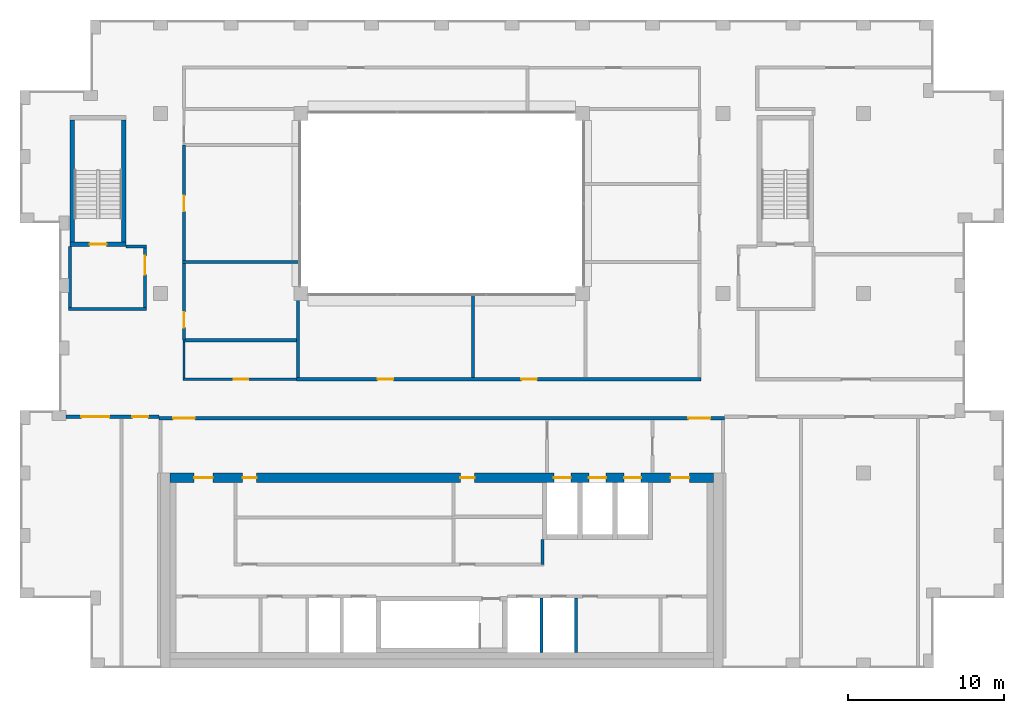
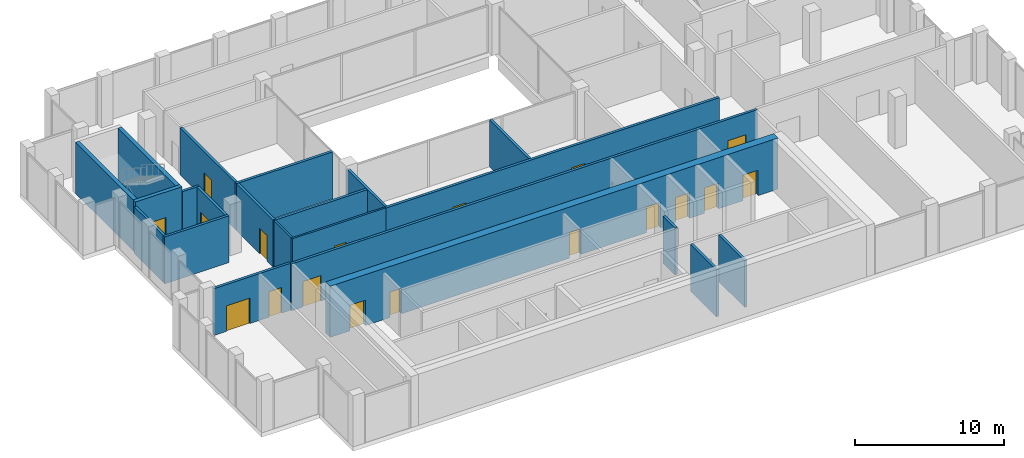
# One storey, part 11 of 15: 22 walls, 18 doors, 18 openings.
"""IFC4 building model written with IfcOpenShell, lengths in metres."""

from ifc_helpers import new_model, si_unit, direction, frame, frame_2d, origin, place, context, subcontext, project, spatial, rectangle, extrude, material, layer, layer_set, type_object, element, fill, save


model = new_model("IFC4")

# Units and contexts
model_context = context("Model", 3, precision=1e-05, world=origin(), true_north=direction((0.0, 1.0)))
body_context = subcontext(model_context, "Body", "Model", "MODEL_VIEW")
ifc_project = project(units=[si_unit("LENGTHUNIT", "METRE"), si_unit("AREAUNIT", "SQUARE_METRE"), si_unit("VOLUMEUNIT", "CUBIC_METRE"), si_unit("PLANEANGLEUNIT", "RADIAN"), si_unit("MASSUNIT", "GRAM", prefix="KILO")], contexts=[model_context])

# Site, building, storey
site_placement = place(None, origin())
site = spatial("IfcSite", under=ifc_project, at=site_placement, CompositionType="ELEMENT")
building_placement = place(site_placement, origin())
building = spatial("IfcBuilding", under=site, at=building_placement, Name="Brigalow Station Residences", CompositionType="ELEMENT")
storey_placement = place(building_placement, frame((0.0, 0.0, 240.0)))
storey = spatial("IfcBuildingStorey", under=building, at=storey_placement, Name="L69", CompositionType="ELEMENT", Elevation=240.0)

# Wall, opening, door
ifc_material_1 = material(Name="Concrete C50", Category="concrete")
ifc_layer_1 = layer(ifc_material_1, 0.300048828125)
ifc_layer_set_1 = layer_set([ifc_layer_1], Name="CORE SHEAR WALL 300 C50")
wall_type_1 = type_object("IfcWallType", Name="CORE SHEAR WALL 300 C50", PredefinedType="SHEAR", material=ifc_layer_set_1)
wall_1_placement = place(storey_placement, frame((12.199951171875, 27.14990234375, 0.0), z_axis=(0.0, 0.0, 1.0), x_axis=(1.0, 0.0, 0.0)))
wall_1 = element("IfcWall", 1, at=wall_1_placement, inside=storey, type_object=wall_type_1, Name="CORE WALL ST-S1-S L69", PredefinedType="SHEAR", context=body_context, shape_type="SweptSolid", body=[
    extrude(rectangle(XDim=3.60009765625, YDim=0.300048828125, at=frame_2d((1.800048828125, 0.0))), origin(), (0.0, 0.0, 1.0), 4.199951171875),
])
opening_1_placement = place(wall_1_placement, frame((1.25, 0.0, 0.0)))
opening_1 = element("IfcOpeningElement", 2, at=opening_1_placement, cuts=wall_1, Name="Opening D-5015", PredefinedType="OPENING", context=body_context, shape_type="SweptSolid", body=[
    extrude(rectangle(XDim=1.10009765625, YDim=2.10009765625, at=frame_2d((0.550048828125, 1.050048828125))), frame((0.0, 0.16015625, 0.0), z_axis=(0.0, -1.0, 0.0), x_axis=(1.0, 0.0, 0.0)), (0.0, 0.0, 1.0), 0.320068359375),
])
ifc_material_2 = material(Name="Steel fire door leaf in steel frame", Category="steel")
door_type_1 = type_object("IfcDoorType", Name="STAIR DOOR 1100 x 2100 FD60S", OperationType="SINGLE_SWING_LEFT", PredefinedType="DOOR", material=ifc_material_2)
door_1_placement = place(opening_1_placement, origin())
door_1 = element("IfcDoor", 3, at=door_1_placement, inside=storey, type_object=door_type_1, Name="D-5015", OperationType="SINGLE_SWING_LEFT", OverallHeight=2.10009765625, OverallWidth=1.10009765625, PredefinedType="DOOR", context=body_context, shape_type="SweptSolid", body=[
    extrude(rectangle(XDim=1.10009765625, YDim=2.10009765625, at=frame_2d((0.550048828125, 1.050048828125))), frame((0.0, 0.02490234375, 0.0), z_axis=(0.0, -1.0, 0.0), x_axis=(1.0, 0.0, 0.0)), (0.0, 0.0, 1.0), 0.050048828125),
])
fill(opening_1, door_1)

# Walls
for number, where, z_axis, x_axis, name in (
    (4, (12.35009765625, 27.300048828125, 0.0), (0.0, 0.0, 1.0), (0.0, 1.0, 0.0), "CORE WALL ST-S1-W L69"),
    (5, (15.64990234375, 27.300048828125, 0.0), (0.0, 0.0, 1.0), (0.0, 1.0, 0.0), "CORE WALL ST-S1-E L69"),
):
    element("IfcWall", number, at=place(storey_placement, frame(where, z_axis=z_axis, x_axis=x_axis)), inside=storey, type_object=wall_type_1, Name=name, PredefinedType="SHEAR", context=body_context, shape_type="SweptSolid", body=[
        extrude(rectangle(XDim=7.800048828125, YDim=0.300048828125, at=frame_2d((3.89990234375, 0.0))), origin(), (0.0, 0.0, 1.0), 4.199951171875),
    ])

# Wall, openings, doors
ifc_material_3 = material(Name="Concrete C50", Category="concrete")
ifc_layer_2 = layer(ifc_material_3, 0.60009765625)
ifc_layer_set_2 = layer_set([ifc_layer_2], Name="CORE SHEAR WALL 600 C50")
wall_type_2 = type_object("IfcWallType", Name="CORE SHEAR WALL 600 C50", PredefinedType="SHEAR", material=ifc_layer_set_2)
wall_2_placement = place(storey_placement, frame((18.60009765625, 12.199951171875, 0.0), z_axis=(0.0, 0.0, 1.0), x_axis=(1.0, 0.0, 0.0)))
wall_2 = element("IfcWall", 6, at=wall_2_placement, inside=storey, type_object=wall_type_2, Name="CORE WALL OUT-N L69", PredefinedType="SHEAR", context=body_context, shape_type="SweptSolid", body=[
    extrude(rectangle(XDim=34.7998046875, YDim=0.60009765625, at=frame_2d((17.39990234375, 0.0))), origin(), (0.0, 0.0, 1.0), 4.199951171875),
])
opening_2_placement = place(wall_2_placement, frame((24.574951171875, 0.0, 0.0)))
opening_2 = element("IfcOpeningElement", 7, at=opening_2_placement, cuts=wall_2, Name="Opening LD-LF1", PredefinedType="OPENING", context=body_context, shape_type="SweptSolid", body=[
    extrude(rectangle(XDim=1.10009765625, YDim=2.10009765625, at=frame_2d((0.550048828125, 1.050048828125))), frame((0.0, 0.31005859375, 0.0), z_axis=(0.0, -1.0, 0.0), x_axis=(1.0, 0.0, 0.0)), (0.0, 0.0, 1.0), 0.6201171875),
])
opening_3_placement = place(wall_2_placement, frame((26.824951171875, 0.0, 0.0)))
opening_3 = element("IfcOpeningElement", 8, at=opening_3_placement, cuts=wall_2, Name="Opening LD-LF2", PredefinedType="OPENING", context=body_context, shape_type="SweptSolid", body=[
    extrude(rectangle(XDim=1.10009765625, YDim=2.10009765625, at=frame_2d((0.550048828125, 1.050048828125))), frame((0.0, 0.31005859375, 0.0), z_axis=(0.0, -1.0, 0.0), x_axis=(1.0, 0.0, 0.0)), (0.0, 0.0, 1.0), 0.6201171875),
])
opening_4_placement = place(wall_2_placement, frame((29.074951171875, 0.0, 0.0)))
opening_4 = element("IfcOpeningElement", 9, at=opening_4_placement, cuts=wall_2, Name="Opening LD-LG1", PredefinedType="OPENING", context=body_context, shape_type="SweptSolid", body=[
    extrude(rectangle(XDim=1.10009765625, YDim=2.10009765625, at=frame_2d((0.550048828125, 1.050048828125))), frame((0.0, 0.31005859375, 0.0), z_axis=(0.0, -1.0, 0.0), x_axis=(1.0, 0.0, 0.0)), (0.0, 0.0, 1.0), 0.6201171875),
])
opening_5_placement = place(wall_2_placement, frame((18.60009765625, 0.0, 0.0)))
opening_5 = element("IfcOpeningElement", 10, at=opening_5_placement, cuts=wall_2, Name="Opening D-5126", PredefinedType="OPENING", context=body_context, shape_type="SweptSolid", body=[
    extrude(rectangle(XDim=0.89990234375, YDim=2.10009765625, at=frame_2d((0.449951171875, 1.050048828125))), frame((0.0, 0.31005859375, 0.0), z_axis=(0.0, -1.0, 0.0), x_axis=(1.0, 0.0, 0.0)), (0.0, 0.0, 1.0), 0.6201171875),
])
opening_6_placement = place(wall_2_placement, frame((4.64990234375, 0.0, 0.0)))
opening_6 = element("IfcOpeningElement", 11, at=opening_6_placement, cuts=wall_2, Name="Opening D-5127", PredefinedType="OPENING", context=body_context, shape_type="SweptSolid", body=[
    extrude(rectangle(XDim=0.89990234375, YDim=2.10009765625, at=frame_2d((0.449951171875, 1.050048828125))), frame((0.0, 0.31005859375, 0.0), z_axis=(0.0, -1.0, 0.0), x_axis=(1.0, 0.0, 0.0)), (0.0, 0.0, 1.0), 0.6201171875),
])
opening_7_placement = place(wall_2_placement, frame((1.550048828125, 0.0, 0.0)))
opening_7 = element("IfcOpeningElement", 12, at=opening_7_placement, cuts=wall_2, Name="Opening D-5011", PredefinedType="OPENING", context=body_context, shape_type="SweptSolid", body=[
    extrude(rectangle(XDim=1.199951171875, YDim=2.10009765625, at=frame_2d((0.60009765625, 1.050048828125))), frame((0.0, 0.31005859375, 0.0), z_axis=(0.0, -1.0, 0.0), x_axis=(1.0, 0.0, 0.0)), (0.0, 0.0, 1.0), 0.6201171875),
])
opening_8_placement = place(wall_2_placement, frame((32.050048828125, 0.0, 0.0)))
opening_8 = element("IfcOpeningElement", 13, at=opening_8_placement, cuts=wall_2, Name="Opening D-5012", PredefinedType="OPENING", context=body_context, shape_type="SweptSolid", body=[
    extrude(rectangle(XDim=1.199951171875, YDim=2.10009765625, at=frame_2d((0.60009765625, 1.050048828125))), frame((0.0, 0.31005859375, 0.0), z_axis=(0.0, -1.0, 0.0), x_axis=(1.0, 0.0, 0.0)), (0.0, 0.0, 1.0), 0.6201171875),
])
ifc_material_4 = material(Name="Steel fire door leaf in steel frame", Category="steel")
door_type_2 = type_object("IfcDoorType", Name="CORE CORRIDOR DOOR 1200 x 2100 FD60S", OperationType="SINGLE_SWING_LEFT", PredefinedType="DOOR", material=ifc_material_4)
door_2_placement = place(opening_7_placement, frame((1.199951171875, 0.0, 0.0), z_axis=(0.0, 0.0, 1.0), x_axis=(-1.0, 0.0, 0.0)))
door_2 = element("IfcDoor", 14, at=door_2_placement, inside=storey, type_object=door_type_2, Name="D-5011", OperationType="SINGLE_SWING_LEFT", OverallHeight=2.10009765625, OverallWidth=1.199951171875, PredefinedType="DOOR", context=body_context, shape_type="SweptSolid", body=[
    extrude(rectangle(XDim=1.199951171875, YDim=2.10009765625, at=frame_2d((0.60009765625, 1.050048828125))), frame((0.0, 0.02490234375, 0.0), z_axis=(0.0, -1.0, 0.0), x_axis=(1.0, 0.0, 0.0)), (0.0, 0.0, 1.0), 0.050048828125),
])
fill(opening_7, door_2)
door_3_placement = place(opening_8_placement, frame((1.199951171875, 0.0, 0.0), z_axis=(0.0, 0.0, 1.0), x_axis=(-1.0, 0.0, 0.0)))
door_3 = element("IfcDoor", 15, at=door_3_placement, inside=storey, type_object=door_type_2, Name="D-5012", OperationType="SINGLE_SWING_RIGHT", OverallHeight=2.10009765625, OverallWidth=1.199951171875, PredefinedType="DOOR", context=body_context, shape_type="SweptSolid", body=[
    extrude(rectangle(XDim=1.199951171875, YDim=2.10009765625, at=frame_2d((0.60009765625, 1.050048828125))), frame((0.0, 0.02490234375, 0.0), z_axis=(0.0, -1.0, 0.0), x_axis=(1.0, 0.0, 0.0)), (0.0, 0.0, 1.0), 0.050048828125),
])
fill(opening_8, door_3)
ifc_material_5 = material(Name="Stainless steel sliding door leaves", Category="steel")
door_type_3 = type_object("IfcDoorType", Name="LIFT LANDING DOOR 1100 x 2100", OperationType="DOUBLE_DOOR_SLIDING", PredefinedType="DOOR", material=ifc_material_5)
door_4_placement = place(opening_2_placement, origin())
door_4 = element("IfcDoor", 16, at=door_4_placement, inside=storey, type_object=door_type_3, Name="LANDING DOOR LF1", OperationType="DOUBLE_DOOR_SLIDING", OverallHeight=2.10009765625, OverallWidth=1.10009765625, PredefinedType="DOOR", context=body_context, shape_type="SweptSolid", body=[
    extrude(rectangle(XDim=1.10009765625, YDim=2.10009765625, at=frame_2d((0.550048828125, 1.050048828125))), frame((0.0, 0.02490234375, 0.0), z_axis=(0.0, -1.0, 0.0), x_axis=(1.0, 0.0, 0.0)), (0.0, 0.0, 1.0), 0.050048828125),
])
fill(opening_2, door_4)
door_5_placement = place(opening_3_placement, origin())
door_5 = element("IfcDoor", 17, at=door_5_placement, inside=storey, type_object=door_type_3, Name="LANDING DOOR LF2", OperationType="DOUBLE_DOOR_SLIDING", OverallHeight=2.10009765625, OverallWidth=1.10009765625, PredefinedType="DOOR", context=body_context, shape_type="SweptSolid", body=[
    extrude(rectangle(XDim=1.10009765625, YDim=2.10009765625, at=frame_2d((0.550048828125, 1.050048828125))), frame((0.0, 0.02490234375, 0.0), z_axis=(0.0, -1.0, 0.0), x_axis=(1.0, 0.0, 0.0)), (0.0, 0.0, 1.0), 0.050048828125),
])
fill(opening_3, door_5)
door_6_placement = place(opening_4_placement, origin())
door_6 = element("IfcDoor", 18, at=door_6_placement, inside=storey, type_object=door_type_3, Name="LANDING DOOR LG1", OperationType="DOUBLE_DOOR_SLIDING", OverallHeight=2.10009765625, OverallWidth=1.10009765625, PredefinedType="DOOR", context=body_context, shape_type="SweptSolid", body=[
    extrude(rectangle(XDim=1.10009765625, YDim=2.10009765625, at=frame_2d((0.550048828125, 1.050048828125))), frame((0.0, 0.02490234375, 0.0), z_axis=(0.0, -1.0, 0.0), x_axis=(1.0, 0.0, 0.0)), (0.0, 0.0, 1.0), 0.050048828125),
])
fill(opening_4, door_6)
ifc_material_6 = material(Name="Steel door leaf in steel frame", Category="steel")
door_type_4 = type_object("IfcDoorType", Name="SERVICE ROOM DOOR 900 x 2100 FD60", OperationType="SINGLE_SWING_LEFT", PredefinedType="DOOR", material=ifc_material_6)
door_7_placement = place(opening_5_placement, frame((0.89990234375, 0.0, 0.0), z_axis=(0.0, 0.0, 1.0), x_axis=(-1.0, 0.0, 0.0)))
door_7 = element("IfcDoor", 19, at=door_7_placement, inside=storey, type_object=door_type_4, Name="D-5126", OperationType="SINGLE_SWING_RIGHT", OverallHeight=2.10009765625, OverallWidth=0.89990234375, PredefinedType="DOOR", context=body_context, shape_type="SweptSolid", body=[
    extrude(rectangle(XDim=0.89990234375, YDim=2.10009765625, at=frame_2d((0.449951171875, 1.050048828125))), frame((0.0, 0.02490234375, 0.0), z_axis=(0.0, -1.0, 0.0), x_axis=(1.0, 0.0, 0.0)), (0.0, 0.0, 1.0), 0.050048828125),
])
fill(opening_5, door_7)
door_8_placement = place(opening_6_placement, frame((0.89990234375, 0.0, 0.0), z_axis=(0.0, 0.0, 1.0), x_axis=(-1.0, 0.0, 0.0)))
door_8 = element("IfcDoor", 20, at=door_8_placement, inside=storey, type_object=door_type_4, Name="D-5127", OperationType="SINGLE_SWING_RIGHT", OverallHeight=2.10009765625, OverallWidth=0.89990234375, PredefinedType="DOOR", context=body_context, shape_type="SweptSolid", body=[
    extrude(rectangle(XDim=0.89990234375, YDim=2.10009765625, at=frame_2d((0.449951171875, 1.050048828125))), frame((0.0, 0.02490234375, 0.0), z_axis=(0.0, -1.0, 0.0), x_axis=(1.0, 0.0, 0.0)), (0.0, 0.0, 1.0), 0.050048828125),
])
fill(opening_6, door_8)

# Walls
ifc_material_7 = material(Name="Concrete blockwork", Category="masonry")
ifc_layer_3 = layer(ifc_material_7, 0.199951171875)
ifc_layer_set_3 = layer_set([ifc_layer_3], Name="FIRE RATED CORE PARTITION 200")
wall_type_3 = type_object("IfcWallType", Name="FIRE RATED CORE PARTITION 200", PredefinedType="PARTITIONING", material=ifc_layer_set_3)
wall_3_placement = place(storey_placement, frame((12.10009765625, 23.0, 0.0), z_axis=(0.0, 0.0, 1.0), x_axis=(1.0, 0.0, 0.0)))
element("IfcWall", 21, at=wall_3_placement, inside=storey, type_object=wall_type_3, Name="PW-5023", PredefinedType="PARTITIONING", context=body_context, shape_type="SweptSolid", body=[
    extrude(rectangle(XDim=5.0, YDim=0.199951171875, at=frame_2d((2.5, 0.0))), origin(), (0.0, 0.0, 1.0), 3.85009765625),
])
wall_4_placement = place(storey_placement, frame((15.800048828125, 27.0, 0.0), z_axis=(0.0, 0.0, 1.0), x_axis=(1.0, 0.0, 0.0)))
element("IfcWall", 22, at=wall_4_placement, inside=storey, type_object=wall_type_3, Name="PW-5025", PredefinedType="PARTITIONING", context=body_context, shape_type="SweptSolid", body=[
    extrude(rectangle(XDim=1.300048828125, YDim=0.199951171875, at=frame_2d((0.64990234375, 0.0))), origin(), (0.0, 0.0, 1.0), 3.85009765625),
])
for number, where, z_axis, x_axis, name in (
    (23, (42.39990234375, 1.0, 0.0), (0.0, 0.0, 1.0), (0.0, 1.0, 0.0), "PW-5007"),
    (24, (44.60009765625, 1.0, 0.0), (0.0, 0.0, 1.0), (0.0, 1.0, 0.0), "PW-5008"),
):
    element("IfcWall", number, at=place(storey_placement, frame(where, z_axis=z_axis, x_axis=x_axis)), inside=storey, type_object=wall_type_3, Name=name, PredefinedType="PARTITIONING", context=body_context, shape_type="SweptSolid", body=[
        extrude(rectangle(XDim=3.5, YDim=0.199951171875, at=frame_2d((1.75, 0.0))), origin(), (0.0, 0.0, 1.0), 3.85009765625),
    ])
wall_5_placement = place(storey_placement, frame((42.449951171875, 6.64990234375, 0.0), z_axis=(0.0, 0.0, 1.0), x_axis=(0.0, 1.0, 0.0)))
element("IfcWall", 25, at=wall_5_placement, inside=storey, type_object=wall_type_3, Name="PW-5011", PredefinedType="PARTITIONING", context=body_context, shape_type="SweptSolid", body=[
    extrude(rectangle(XDim=1.60009765625, YDim=0.199951171875, at=frame_2d((0.800048828125, 0.0))), origin(), (0.0, 0.0, 1.0), 3.85009765625),
])
wall_6_placement = place(storey_placement, frame((12.199951171875, 23.10009765625, 0.0), z_axis=(0.0, 0.0, 1.0), x_axis=(0.0, 1.0, 0.0)))
element("IfcWall", 26, at=wall_6_placement, inside=storey, type_object=wall_type_3, Name="PW-5034", PredefinedType="PARTITIONING", context=body_context, shape_type="SweptSolid", body=[
    extrude(rectangle(XDim=3.89990234375, YDim=0.199951171875, at=frame_2d((1.949951171875, 0.0))), origin(), (0.0, 0.0, 1.0), 3.85009765625),
])

# Wall, opening, door
wall_7_placement = place(storey_placement, frame((17.0, 23.10009765625, 0.0), z_axis=(0.0, 0.0, 1.0), x_axis=(0.0, 1.0, 0.0)))
wall_7 = element("IfcWall", 27, at=wall_7_placement, inside=storey, type_object=wall_type_3, Name="PW-5035", PredefinedType="PARTITIONING", context=body_context, shape_type="SweptSolid", body=[
    extrude(rectangle(XDim=3.7998046875, YDim=0.199951171875, at=frame_2d((1.89990234375, 0.0))), origin(), (0.0, 0.0, 1.0), 3.85009765625),
])
opening_9_placement = place(wall_7_placement, frame((2.10009765625, 0.0, 0.0)))
opening_9 = element("IfcOpeningElement", 28, at=opening_9_placement, cuts=wall_7, Name="Opening D-5016", PredefinedType="OPENING", context=body_context, shape_type="SweptSolid", body=[
    extrude(rectangle(XDim=1.199951171875, YDim=2.10009765625, at=frame_2d((0.60009765625, 1.050048828125))), frame((0.0, 0.10986328125, 0.0), z_axis=(0.0, -1.0, 0.0), x_axis=(1.0, 0.0, 0.0)), (0.0, 0.0, 1.0), 0.219970703125),
])
ifc_material_8 = material(Name="Steel fire door leaf in steel frame", Category="steel")
door_type_5 = type_object("IfcDoorType", Name="STAIR LOBBY DOOR 1200 x 2100 FD60S", OperationType="SINGLE_SWING_LEFT", PredefinedType="DOOR", material=ifc_material_8)
door_9_placement = place(opening_9_placement, frame((1.199951171875, 0.0, 0.0), z_axis=(0.0, 0.0, 1.0), x_axis=(-1.0, 0.0, 0.0)))
door_9 = element("IfcDoor", 29, at=door_9_placement, inside=storey, type_object=door_type_5, Name="D-5016", OperationType="SINGLE_SWING_RIGHT", OverallHeight=2.10009765625, OverallWidth=1.199951171875, PredefinedType="DOOR", context=body_context, shape_type="SweptSolid", body=[
    extrude(rectangle(XDim=1.199951171875, YDim=2.10009765625, at=frame_2d((0.60009765625, 1.050048828125))), frame((0.0, 0.02490234375, 0.0), z_axis=(0.0, -1.0, 0.0), x_axis=(1.0, 0.0, 0.0)), (0.0, 0.0, 1.0), 0.050048828125),
])
fill(opening_9, door_9)

# Wall, openings, doors
wall_8_placement = place(storey_placement, frame((17.89990234375, 16.0, 0.0), z_axis=(0.0, 0.0, 1.0), x_axis=(1.0, 0.0, 0.0)))
wall_8 = element("IfcWall", 30, at=wall_8_placement, inside=storey, type_object=wall_type_3, Name="PW-5038", PredefinedType="PARTITIONING", context=body_context, shape_type="SweptSolid", body=[
    extrude(rectangle(XDim=36.2001953125, YDim=0.199951171875, at=frame_2d((18.10009765625, 0.0))), origin(), (0.0, 0.0, 1.0), 3.85009765625),
])
opening_10_placement = place(wall_8_placement, frame((0.89990234375, 0.0, 0.0)))
opening_10 = element("IfcOpeningElement", 31, at=opening_10_placement, cuts=wall_8, Name="Opening D-5029", PredefinedType="OPENING", context=body_context, shape_type="SweptSolid", body=[
    extrude(rectangle(XDim=1.39990234375, YDim=2.10009765625, at=frame_2d((0.699951171875, 1.050048828125))), frame((0.0, 0.10986328125, 0.0), z_axis=(0.0, -1.0, 0.0), x_axis=(1.0, 0.0, 0.0)), (0.0, 0.0, 1.0), 0.219970703125),
])
opening_11_placement = place(wall_8_placement, frame((33.89990234375, 0.0, 0.0)))
opening_11 = element("IfcOpeningElement", 32, at=opening_11_placement, cuts=wall_8, Name="Opening D-5030", PredefinedType="OPENING", context=body_context, shape_type="SweptSolid", body=[
    extrude(rectangle(XDim=1.39990234375, YDim=2.10009765625, at=frame_2d((0.699951171875, 1.050048828125))), frame((0.0, 0.10986328125, 0.0), z_axis=(0.0, -1.0, 0.0), x_axis=(1.0, 0.0, 0.0)), (0.0, 0.0, 1.0), 0.219970703125),
])
ifc_material_9 = material(Name="Steel fire door leaves in steel frame", Category="steel")
door_type_6 = type_object("IfcDoorType", Name="CORRIDOR FIRE DOOR 1400 x 2100 FD60S", OperationType="SINGLE_SWING_LEFT", PredefinedType="DOOR", material=ifc_material_9)
door_10_placement = place(opening_10_placement, frame((1.39990234375, 0.0, 0.0), z_axis=(0.0, 0.0, 1.0), x_axis=(-1.0, 0.0, 0.0)))
door_10 = element("IfcDoor", 33, at=door_10_placement, inside=storey, type_object=door_type_6, Name="D-5029", OperationType="SINGLE_SWING_RIGHT", OverallHeight=2.10009765625, OverallWidth=1.39990234375, PredefinedType="DOOR", context=body_context, shape_type="SweptSolid", body=[
    extrude(rectangle(XDim=1.39990234375, YDim=2.10009765625, at=frame_2d((0.699951171875, 1.050048828125))), frame((0.0, 0.02490234375, 0.0), z_axis=(0.0, -1.0, 0.0), x_axis=(1.0, 0.0, 0.0)), (0.0, 0.0, 1.0), 0.050048828125),
])
fill(opening_10, door_10)
door_11_placement = place(opening_11_placement, origin())
door_11 = element("IfcDoor", 34, at=door_11_placement, inside=storey, type_object=door_type_6, Name="D-5030", OperationType="SINGLE_SWING_RIGHT", OverallHeight=2.10009765625, OverallWidth=1.39990234375, PredefinedType="DOOR", context=body_context, shape_type="SweptSolid", body=[
    extrude(rectangle(XDim=1.39990234375, YDim=2.10009765625, at=frame_2d((0.699951171875, 1.050048828125))), frame((0.0, 0.02490234375, 0.0), z_axis=(0.0, -1.0, 0.0), x_axis=(1.0, 0.0, 0.0)), (0.0, 0.0, 1.0), 0.050048828125),
])
fill(opening_11, door_11)

wall_9_placement = place(storey_placement, frame((11.949951171875, 16.10009765625, 0.0), z_axis=(0.0, 0.0, 1.0), x_axis=(1.0, 0.0, 0.0)))
wall_9 = element("IfcWall", 35, at=wall_9_placement, inside=storey, type_object=wall_type_3, Name="PW-5299", PredefinedType="PARTITIONING", context=body_context, shape_type="SweptSolid", body=[
    extrude(rectangle(XDim=5.949951171875, YDim=0.199951171875, at=frame_2d((2.97509765625, 0.0))), origin(), (0.0, 0.0, 1.0), 3.85009765625),
])
opening_12_placement = place(wall_9_placement, frame((0.97509765625, 0.0, 0.0)))
opening_12 = element("IfcOpeningElement", 36, at=opening_12_placement, cuts=wall_9, Name="Opening D-5167", PredefinedType="OPENING", context=body_context, shape_type="SweptSolid", body=[
    extrude(rectangle(XDim=1.800048828125, YDim=2.10009765625, at=frame_2d((0.89990234375, 1.050048828125))), frame((0.0, 0.10986328125, 0.0), z_axis=(0.0, -1.0, 0.0), x_axis=(1.0, 0.0, 0.0)), (0.0, 0.0, 1.0), 0.219970703125),
])
opening_13_placement = place(wall_9_placement, frame((4.25, 0.0, 0.0)))
opening_13 = element("IfcOpeningElement", 37, at=opening_13_placement, cuts=wall_9, Name="Opening D-5149", PredefinedType="OPENING", context=body_context, shape_type="SweptSolid", body=[
    extrude(rectangle(XDim=1.0, YDim=2.10009765625, at=frame_2d((0.5, 1.050048828125))), frame((0.0, 0.10986328125, 0.0), z_axis=(0.0, -1.0, 0.0), x_axis=(1.0, 0.0, 0.0)), (0.0, 0.0, 1.0), 0.219970703125),
])
ifc_material_10 = material(Name="Steel fire door leaf in steel frame", Category="steel")
door_type_7 = type_object("IfcDoorType", Name="PLANT ROOM DOOR 1000 x 2100 FD60", OperationType="SINGLE_SWING_LEFT", PredefinedType="DOOR", material=ifc_material_10)
door_12_placement = place(opening_13_placement, frame((1.0, 0.0, 0.0), z_axis=(0.0, 0.0, 1.0), x_axis=(-1.0, 0.0, 0.0)))
door_12 = element("IfcDoor", 38, at=door_12_placement, inside=storey, type_object=door_type_7, Name="D-5149", OperationType="SINGLE_SWING_RIGHT", OverallHeight=2.10009765625, OverallWidth=1.0, PredefinedType="DOOR", context=body_context, shape_type="SweptSolid", body=[
    extrude(rectangle(XDim=1.0, YDim=2.10009765625, at=frame_2d((0.5, 1.050048828125))), frame((0.0, 0.02490234375, 0.0), z_axis=(0.0, -1.0, 0.0), x_axis=(1.0, 0.0, 0.0)), (0.0, 0.0, 1.0), 0.050048828125),
])
fill(opening_13, door_12)
ifc_material_11 = material(Name="Steel fire door leaf in steel frame", Category="steel")
door_type_8 = type_object("IfcDoorType", Name="PLANT ROOM DOOR 1800 x 2100 FD60", OperationType="DOUBLE_DOOR_SINGLE_SWING", PredefinedType="DOOR", material=ifc_material_11)
door_13_placement = place(opening_12_placement, frame((1.800048828125, 0.0, 0.0), z_axis=(0.0, 0.0, 1.0), x_axis=(-1.0, 0.0, 0.0)))
door_13 = element("IfcDoor", 39, at=door_13_placement, inside=storey, type_object=door_type_8, Name="D-5167", OperationType="DOUBLE_DOOR_SINGLE_SWING", OverallHeight=2.10009765625, OverallWidth=1.800048828125, PredefinedType="DOOR", context=body_context, shape_type="SweptSolid", body=[
    extrude(rectangle(XDim=1.800048828125, YDim=2.10009765625, at=frame_2d((0.89990234375, 1.050048828125))), frame((0.0, 0.02490234375, 0.0), z_axis=(0.0, -1.0, 0.0), x_axis=(1.0, 0.0, 0.0)), (0.0, 0.0, 1.0), 0.050048828125),
])
fill(opening_12, door_13)

wall_10_placement = place(storey_placement, frame((26.699951171875, 18.5, 0.0), z_axis=(0.0, 0.0, 1.0), x_axis=(1.0, 0.0, 0.0)))
wall_10 = element("IfcWall", 40, at=wall_10_placement, inside=storey, type_object=wall_type_3, Name="PW-5301", PredefinedType="PARTITIONING", context=body_context, shape_type="SweptSolid", body=[
    extrude(rectangle(XDim=25.900146484375, YDim=0.199951171875, at=frame_2d((12.9501953125, 0.0))), origin(), (0.0, 0.0, 1.0), 3.85009765625),
])
opening_14_placement = place(wall_10_placement, frame((5.199951171875, 0.0, 0.0)))
opening_14 = element("IfcOpeningElement", 41, at=opening_14_placement, cuts=wall_10, Name="Opening D-5174", PredefinedType="OPENING", context=body_context, shape_type="SweptSolid", body=[
    extrude(rectangle(XDim=1.0, YDim=2.10009765625, at=frame_2d((0.5, 1.050048828125))), frame((0.0, 0.10986328125, 0.0), z_axis=(0.0, -1.0, 0.0), x_axis=(1.0, 0.0, 0.0)), (0.0, 0.0, 1.0), 0.219970703125),
])
opening_15_placement = place(wall_10_placement, frame((14.39990234375, 0.0, 0.0)))
opening_15 = element("IfcOpeningElement", 42, at=opening_15_placement, cuts=wall_10, Name="Opening D-5102", PredefinedType="OPENING", context=body_context, shape_type="SweptSolid", body=[
    extrude(rectangle(XDim=1.0, YDim=2.10009765625, at=frame_2d((0.5, 1.050048828125))), frame((0.0, 0.10986328125, 0.0), z_axis=(0.0, -1.0, 0.0), x_axis=(1.0, 0.0, 0.0)), (0.0, 0.0, 1.0), 0.219970703125),
])
door_14_placement = place(opening_14_placement, origin())
door_14 = element("IfcDoor", 43, at=door_14_placement, inside=storey, type_object=door_type_7, Name="D-5174", OperationType="SINGLE_SWING_LEFT", OverallHeight=2.10009765625, OverallWidth=1.0, PredefinedType="DOOR", context=body_context, shape_type="SweptSolid", body=[
    extrude(rectangle(XDim=1.0, YDim=2.10009765625, at=frame_2d((0.5, 1.050048828125))), frame((0.0, 0.02490234375, 0.0), z_axis=(0.0, -1.0, 0.0), x_axis=(1.0, 0.0, 0.0)), (0.0, 0.0, 1.0), 0.050048828125),
])
fill(opening_14, door_14)
door_15_placement = place(opening_15_placement, origin())
door_15 = element("IfcDoor", 44, at=door_15_placement, inside=storey, type_object=door_type_7, Name="D-5102", OperationType="SINGLE_SWING_RIGHT", OverallHeight=2.10009765625, OverallWidth=1.0, PredefinedType="DOOR", context=body_context, shape_type="SweptSolid", body=[
    extrude(rectangle(XDim=1.0, YDim=2.10009765625, at=frame_2d((0.5, 1.050048828125))), frame((0.0, 0.02490234375, 0.0), z_axis=(0.0, -1.0, 0.0), x_axis=(1.0, 0.0, 0.0)), (0.0, 0.0, 1.0), 0.050048828125),
])
fill(opening_15, door_15)

# Walls
wall_11_placement = place(storey_placement, frame((19.425048828125, 21.0, 0.0), z_axis=(0.0, 0.0, 1.0), x_axis=(1.0, 0.0, 0.0)))
element("IfcWall", 45, at=wall_11_placement, inside=storey, type_object=wall_type_3, Name="PW-5336", PredefinedType="PARTITIONING", context=body_context, shape_type="SweptSolid", body=[
    extrude(rectangle(XDim=7.474853515625, YDim=0.199951171875, at=frame_2d((3.7373046875, 0.0))), origin(), (0.0, 0.0, 1.0), 3.85009765625),
])
wall_12_placement = place(storey_placement, frame((19.39990234375, 26.0, 0.0), z_axis=(0.0, 0.0, 1.0), x_axis=(1.0, 0.0, 0.0)))
element("IfcWall", 46, at=wall_12_placement, inside=storey, type_object=wall_type_3, Name="PW-5337", PredefinedType="PARTITIONING", context=body_context, shape_type="SweptSolid", body=[
    extrude(rectangle(XDim=7.504150390625, YDim=0.199951171875, at=frame_2d((3.751953125, 0.0))), origin(), (0.0, 0.0, 1.0), 3.85009765625),
])
wall_13_placement = place(storey_placement, frame((26.800048828125, 18.60009765625, 0.0), z_axis=(0.0, 0.0, 1.0), x_axis=(0.0, 1.0, 0.0)))
element("IfcWall", 47, at=wall_13_placement, inside=storey, type_object=wall_type_3, Name="PW-5090", PredefinedType="PARTITIONING", context=body_context, shape_type="SweptSolid", body=[
    extrude(rectangle(XDim=5.099853515625, YDim=0.199951171875, at=frame_2d((2.5498046875, 0.0))), origin(), (0.0, 0.0, 1.0), 3.85009765625),
])
wall_14_placement = place(storey_placement, frame((38.0, 18.60009765625, 0.0), z_axis=(0.0, 0.0, 1.0), x_axis=(0.0, 1.0, 0.0)))
element("IfcWall", 48, at=wall_14_placement, inside=storey, type_object=wall_type_3, Name="PW-5184", PredefinedType="PARTITIONING", context=body_context, shape_type="SweptSolid", body=[
    extrude(rectangle(XDim=5.303955078125, YDim=0.199951171875, at=frame_2d((2.65185546875, 0.0))), origin(), (0.0, 0.0, 1.0), 3.85009765625),
])

# Wall, opening, door
wall_15_placement = place(storey_placement, frame((19.5, 21.0, 0.0), z_axis=(0.0, 0.0, 1.0), x_axis=(0.0, 1.0, 0.0)))
wall_15 = element("IfcWall", 49, at=wall_15_placement, inside=storey, type_object=wall_type_3, Name="PW-5345", PredefinedType="PARTITIONING", context=body_context, shape_type="SweptSolid", body=[
    extrude(rectangle(XDim=4.89990234375, YDim=0.199951171875, at=frame_2d((2.449951171875, 0.0))), origin(), (0.0, 0.0, 1.0), 3.85009765625),
])
opening_16_placement = place(wall_15_placement, frame((0.800048828125, 0.0, 0.0)))
opening_16 = element("IfcOpeningElement", 50, at=opening_16_placement, cuts=wall_15, Name="Opening D-5171", PredefinedType="OPENING", context=body_context, shape_type="SweptSolid", body=[
    extrude(rectangle(XDim=1.0, YDim=2.10009765625, at=frame_2d((0.5, 1.050048828125))), frame((0.0, 0.10986328125, 0.0), z_axis=(0.0, -1.0, 0.0), x_axis=(1.0, 0.0, 0.0)), (0.0, 0.0, 1.0), 0.219970703125),
])
door_16_placement = place(opening_16_placement, frame((1.0, 0.0, 0.0), z_axis=(0.0, 0.0, 1.0), x_axis=(-1.0, 0.0, 0.0)))
door_16 = element("IfcDoor", 51, at=door_16_placement, inside=storey, type_object=door_type_7, Name="D-5171", OperationType="SINGLE_SWING_RIGHT", OverallHeight=2.10009765625, OverallWidth=1.0, PredefinedType="DOOR", context=body_context, shape_type="SweptSolid", body=[
    extrude(rectangle(XDim=1.0, YDim=2.10009765625, at=frame_2d((0.5, 1.050048828125))), frame((0.0, 0.02490234375, 0.0), z_axis=(0.0, -1.0, 0.0), x_axis=(1.0, 0.0, 0.0)), (0.0, 0.0, 1.0), 0.050048828125),
])
fill(opening_16, door_16)

wall_16_placement = place(storey_placement, frame((19.5, 26.10009765625, 0.0), z_axis=(0.0, 0.0, 1.0), x_axis=(0.0, 1.0, 0.0)))
wall_16 = element("IfcWall", 52, at=wall_16_placement, inside=storey, type_object=wall_type_3, Name="PW-5346", PredefinedType="PARTITIONING", context=body_context, shape_type="SweptSolid", body=[
    extrude(rectangle(XDim=7.39990234375, YDim=0.199951171875, at=frame_2d((3.699951171875, 0.0))), origin(), (0.0, 0.0, 1.0), 3.85009765625),
])
opening_17_placement = place(wall_16_placement, frame((3.14990234375, 0.0, 0.0)))
opening_17 = element("IfcOpeningElement", 53, at=opening_17_placement, cuts=wall_16, Name="Opening D-5172", PredefinedType="OPENING", context=body_context, shape_type="SweptSolid", body=[
    extrude(rectangle(XDim=1.0, YDim=2.10009765625, at=frame_2d((0.5, 1.050048828125))), frame((0.0, 0.10986328125, 0.0), z_axis=(0.0, -1.0, 0.0), x_axis=(1.0, 0.0, 0.0)), (0.0, 0.0, 1.0), 0.219970703125),
])
door_17_placement = place(opening_17_placement, frame((1.0, 0.0, 0.0), z_axis=(0.0, 0.0, 1.0), x_axis=(-1.0, 0.0, 0.0)))
door_17 = element("IfcDoor", 54, at=door_17_placement, inside=storey, type_object=door_type_7, Name="D-5172", OperationType="SINGLE_SWING_RIGHT", OverallHeight=2.10009765625, OverallWidth=1.0, PredefinedType="DOOR", context=body_context, shape_type="SweptSolid", body=[
    extrude(rectangle(XDim=1.0, YDim=2.10009765625, at=frame_2d((0.5, 1.050048828125))), frame((0.0, 0.02490234375, 0.0), z_axis=(0.0, -1.0, 0.0), x_axis=(1.0, 0.0, 0.0)), (0.0, 0.0, 1.0), 0.050048828125),
])
fill(opening_17, door_17)

ifc_material_12 = material(Name="Plasterboard on steel studs", Category="steel")
ifc_layer_4 = layer(ifc_material_12, 0.14990234375)
ifc_layer_set_4 = layer_set([ifc_layer_4], Name="SERVICE ROOM PARTITION 150")
wall_type_4 = type_object("IfcWallType", Name="SERVICE ROOM PARTITION 150", PredefinedType="PARTITIONING", material=ifc_layer_set_4)
wall_17_placement = place(storey_placement, frame((19.425048828125, 18.5, 0.0), z_axis=(0.0, 0.0, 1.0), x_axis=(1.0, 0.0, 0.0)))
wall_17 = element("IfcWall", 55, at=wall_17_placement, inside=storey, type_object=wall_type_4, Name="PW-5303", PredefinedType="PARTITIONING", context=body_context, shape_type="SweptSolid", body=[
    extrude(rectangle(XDim=7.27490234375, YDim=0.14990234375, at=frame_2d((3.637451171875, 0.0))), origin(), (0.0, 0.0, 1.0), 3.85009765625),
])
opening_18_placement = place(wall_17_placement, frame((3.27490234375, 0.0, 0.0)))
opening_18 = element("IfcOpeningElement", 56, at=opening_18_placement, cuts=wall_17, Name="Opening D-5170", PredefinedType="OPENING", context=body_context, shape_type="SweptSolid", body=[
    extrude(rectangle(XDim=0.89990234375, YDim=2.10009765625, at=frame_2d((0.449951171875, 1.050048828125))), frame((0.0, 0.0849609375, 0.0), z_axis=(0.0, -1.0, 0.0), x_axis=(1.0, 0.0, 0.0)), (0.0, 0.0, 1.0), 0.169921875),
])
door_18_placement = place(opening_18_placement, origin())
door_18 = element("IfcDoor", 57, at=door_18_placement, inside=storey, type_object=door_type_4, Name="D-5170", OperationType="SINGLE_SWING_RIGHT", OverallHeight=2.10009765625, OverallWidth=0.89990234375, PredefinedType="DOOR", context=body_context, shape_type="SweptSolid", body=[
    extrude(rectangle(XDim=0.89990234375, YDim=2.10009765625, at=frame_2d((0.449951171875, 1.050048828125))), frame((0.0, 0.02490234375, 0.0), z_axis=(0.0, -1.0, 0.0), x_axis=(1.0, 0.0, 0.0)), (0.0, 0.0, 1.0), 0.050048828125),
])
fill(opening_18, door_18)

# Wall
wall_18_placement = place(storey_placement, frame((19.5, 18.574951171875, 0.0), z_axis=(0.0, 0.0, 1.0), x_axis=(0.0, 1.0, 0.0)))
element("IfcWall", 58, at=wall_18_placement, inside=storey, type_object=wall_type_4, Name="PW-5344", PredefinedType="PARTITIONING", context=body_context, shape_type="SweptSolid", body=[
    extrude(rectangle(XDim=2.324951171875, YDim=0.14990234375, at=frame_2d((1.16259765625, 0.0))), origin(), (0.0, 0.0, 1.0), 3.85009765625),
])

save(model, "model.ifc")
